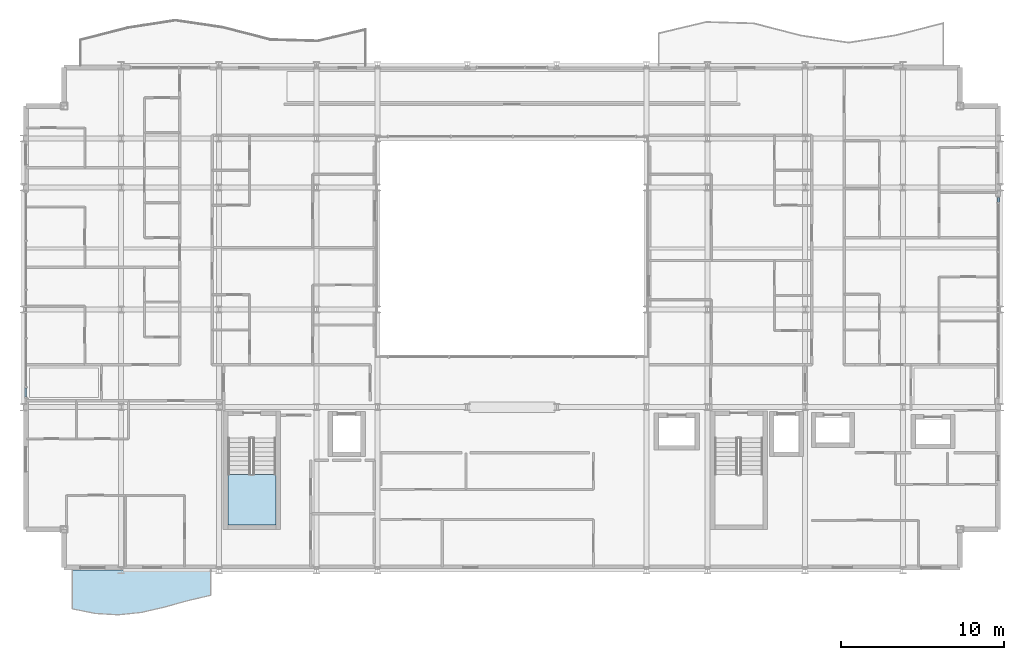
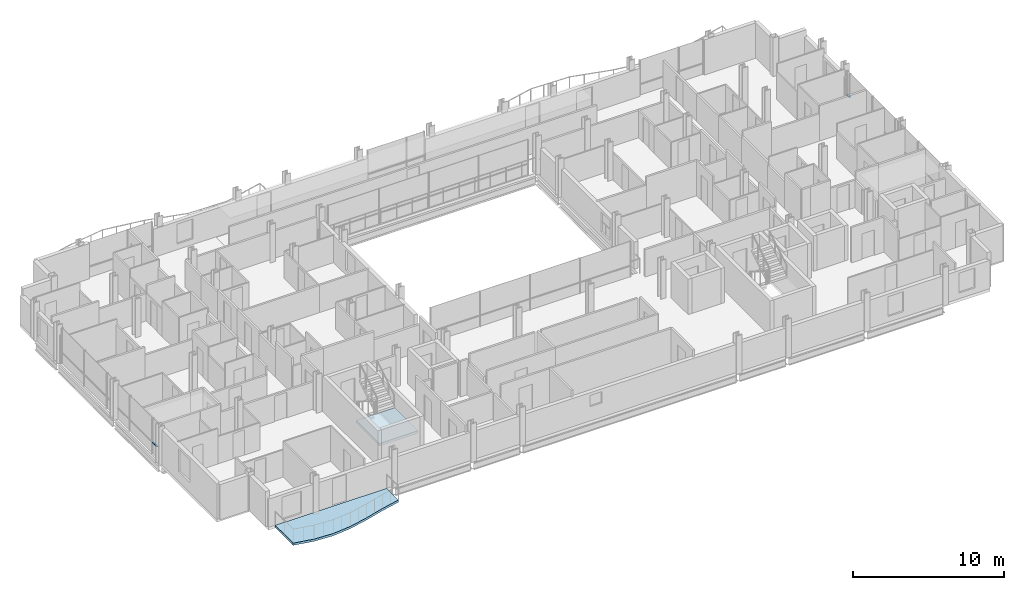
# One storey, part 25 of 41: 2 members, 2 slabs, 3 elements without a shape of their own.
"""IFC4 building model written with IfcOpenShell, lengths in metres."""

from ifc_helpers import new_model, si_unit, direction, frame, origin, origin_2d, place, context, subcontext, project, spatial, polyline, hollow_rectangle, outline, extrude, material, layer, layer_set, material_profile, profile_set, type_object, element, aggregate, save


model = new_model("IFC4")

# Units and contexts
model_context = context("Model", 3, precision=1e-05, world=origin(), true_north=direction((0.0, 1.0)))
body_context = subcontext(model_context, "Body", "Model", "MODEL_VIEW")
ifc_project = project(units=[si_unit("LENGTHUNIT", "METRE"), si_unit("AREAUNIT", "SQUARE_METRE"), si_unit("VOLUMEUNIT", "CUBIC_METRE"), si_unit("PLANEANGLEUNIT", "RADIAN"), si_unit("MASSUNIT", "GRAM", prefix="KILO")], contexts=[model_context])

# Site, building, storey
site_placement = place(None, origin())
site = spatial("IfcSite", under=ifc_project, at=site_placement, CompositionType="ELEMENT")
building_placement = place(site_placement, origin())
building = spatial("IfcBuilding", under=site, at=building_placement, Name="Brevholm Reach", CompositionType="ELEMENT")
storey_placement = place(building_placement, frame((0.0, 0.0, 93.10009765625)))
storey = spatial("IfcBuildingStorey", under=building, at=storey_placement, Name="L27", CompositionType="ELEMENT", Elevation=93.10009765625)

# Curtain wall, member
ifc_material_1 = material(Name="Dark Anodised Aluminium 6063-T6 and Solar-Control Glass", Category="aluminium")
ifc_layer_1 = layer(ifc_material_1, 0.14990234375)
ifc_layer_set_1 = layer_set([ifc_layer_1], Name="Dark Anodised Aluminium 6063-T6 and Solar-Control Glass")
curtain_wall_type = type_object("IfcCurtainWallType", Name="CW-01", PredefinedType="NOTDEFINED", material=ifc_layer_set_1)
curtain_wall_1_placement = place(storey_placement, origin())
curtain_wall_1 = element("IfcCurtainWall", 1, at=curtain_wall_1_placement, inside=storey, type_object=curtain_wall_type, Name="L27 Curtain Wall CW-01", PredefinedType="NOTDEFINED")
ifc_material_2 = material(Name="Dark Anodised Aluminium 6063-T6", Category="aluminium")
ifc_material_profile = material_profile(ifc_material_2, hollow_rectangle(XDim=0.06494140625, YDim=0.14990234375, WallThickness=0.0048828125, InnerFilletRadius=0.0048828125, OuterFilletRadius=0.010009765625, at=origin_2d()), Name="RHS 150x65x5")
ifc_profile_set = profile_set([ifc_material_profile], Name="Dark Anodised Aluminium 6063-T6")
member_type = type_object("IfcMemberType", Name="CWT-150", PredefinedType="NOTDEFINED", material=ifc_profile_set)
member_1_placement = place(storey_placement, frame((0.14990234375, 11.1875, 0.89990234375), z_axis=(0.0, -1.0, 0.0), x_axis=(0.0, 0.0, 1.0)))
member_1 = element("IfcMember", 2, at=member_1_placement, type_object=member_type, Name="CT-150 Transom 5.1", ObjectType="TRANSOM", PredefinedType="USERDEFINED", context=body_context, shape_type="SweptSolid", body=[
    extrude(hollow_rectangle(XDim=0.06494140625, YDim=0.14990234375, WallThickness=0.0048828125, InnerFilletRadius=0.0048828125, OuterFilletRadius=0.010009765625, at=origin_2d()), origin(), (0.0, 0.0, 1.0), 0.572509765625),
])
aggregate(curtain_wall_1, [member_1])

curtain_wall_2_placement = place(storey_placement, origin())
curtain_wall_2 = element("IfcCurtainWall", 3, at=curtain_wall_2_placement, inside=storey, type_object=curtain_wall_type, Name="L27 Curtain Wall CW-01", PredefinedType="NOTDEFINED")
member_2_placement = place(storey_placement, frame((59.85009765625, 22.58251953125, 0.89990234375), z_axis=(0.0, 1.0, 0.0), x_axis=(0.0, 0.0, 1.0)))
member_2 = element("IfcMember", 4, at=member_2_placement, type_object=member_type, Name="CT-150 Transom 5.1", ObjectType="TRANSOM", PredefinedType="USERDEFINED", context=body_context, shape_type="SweptSolid", body=[
    extrude(hollow_rectangle(XDim=0.06494140625, YDim=0.14990234375, WallThickness=0.0048828125, InnerFilletRadius=0.0048828125, OuterFilletRadius=0.010009765625, at=origin_2d()), origin(), (0.0, 0.0, 1.0), 0.302490234375),
])
aggregate(curtain_wall_2, [member_2])

# Slab
ifc_material_3 = material(Name="Precast Concrete C40/50", Category="concrete")
ifc_layer_2 = layer(ifc_material_3, 0.179931640625)
ifc_layer_set_2 = layer_set([ifc_layer_2], Name="Precast Concrete C40/50")
slab_type_1 = type_object("IfcSlabType", Name="SLB-BAL-180", PredefinedType="FLOOR", material=ifc_layer_set_2)
slab_1_placement = place(storey_placement, frame((0.0, 0.0, -0.18017578125)))
element("IfcSlab", 5, at=slab_1_placement, inside=storey, type_object=slab_type_1, Name="L27 Rippling External Balcony SW", PredefinedType="FLOOR", context=body_context, shape_type="SweptSolid", body=[
    extrude(outline(polyline([(3.0, -2.38134765625), (4.416748046875, -2.665283203125), (5.833251953125, -2.747314453125), (7.25, -2.599609375), (8.666748046875, -2.2724609375), (10.083251953125, -1.877685546875), (11.5, -1.55029296875), (11.5, 0.0), (3.0, 0.0), (3.0, -2.38134765625)])), origin(), (0.0, 0.0, 1.0), 0.18017578125),
])

# Stair, slab
ifc_material_4 = material(Name="Precast Concrete C40/50", Category="concrete")
stair_type = type_object("IfcStairType", Name="STR-ESC-1400", PredefinedType="DOUBLE_RETURN_STAIR", material=ifc_material_4)
stair_placement = place(storey_placement, origin())
stair = element("IfcStair", 6, at=stair_placement, inside=storey, type_object=stair_type, Name="L27 ST-1", PredefinedType="DOUBLE_RETURN_STAIR")
ifc_material_5 = material(Name="Concrete C40/50", Category="concrete")
ifc_layer_3 = layer(ifc_material_5, 0.199951171875)
ifc_layer_set_3 = layer_set([ifc_layer_3], Name="Concrete C40/50")
slab_type_2 = type_object("IfcSlabType", Name="SLB-LND-200", PredefinedType="LANDING", material=ifc_layer_set_3)
slab_2_placement = place(storey_placement, frame((0.0, 0.0, 1.349853515625)))
slab_2 = element("IfcSlab", 7, at=slab_2_placement, type_object=slab_type_2, Name="ST-1 landing 1", PredefinedType="LANDING", context=body_context, shape_type="SweptSolid", body=[
    extrude(outline(polyline([(12.550048828125, 5.860107421875), (12.550048828125, 2.780029296875), (15.5, 2.780029296875), (15.5, 5.860107421875), (12.550048828125, 5.860107421875)])), origin(), (0.0, 0.0, 1.0), 0.199951171875),
])
aggregate(stair, [slab_2])

save(model, "model.ifc")
